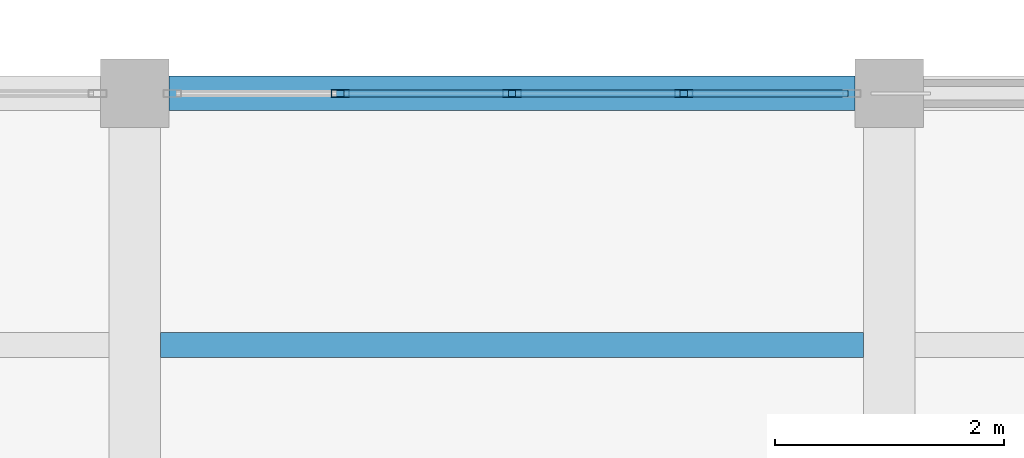
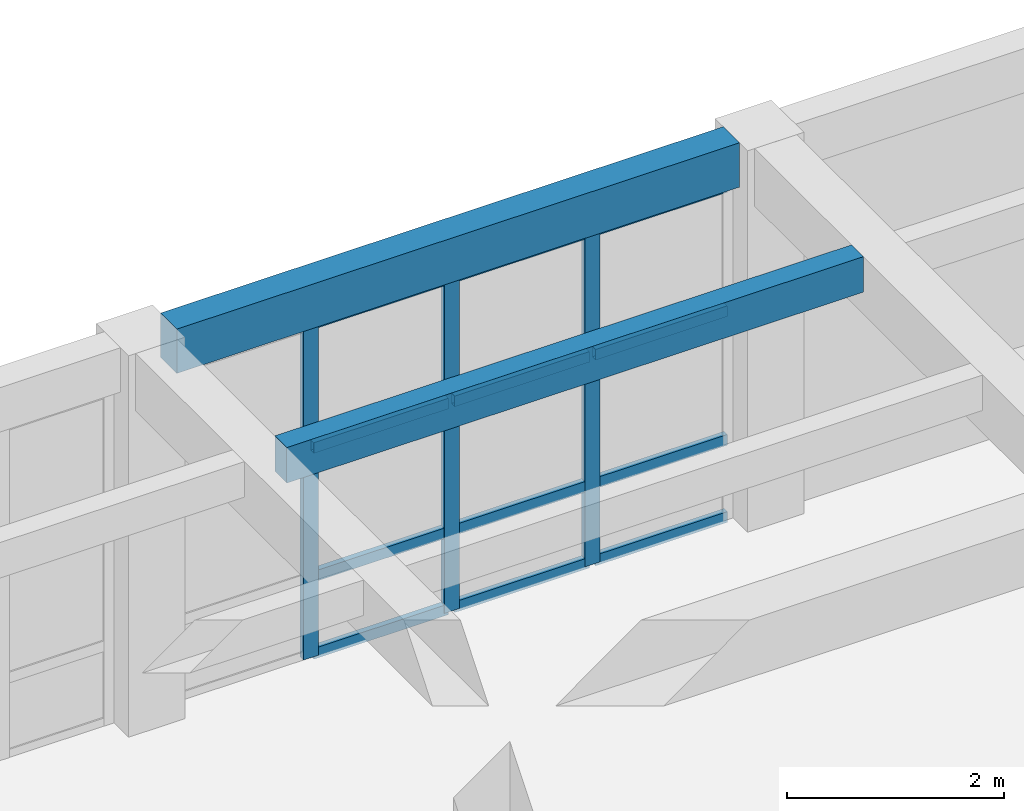
# One storey, part 14 of 80: 15 members, 2 beams, 1 element without a shape of its own.
"""IFC4 building model written with IfcOpenShell, lengths in metres."""

from ifc_helpers import new_model, si_unit, direction, frame, origin, origin_2d, place, context, subcontext, project, spatial, rectangle, hollow_rectangle, extrude, material, layer, layer_set, material_profile, profile_set, type_object, element, aggregate, save


model = new_model("IFC4")

# Units and contexts
model_context = context("Model", 3, precision=1e-05, world=origin(), true_north=direction((0.0, 1.0)))
body_context = subcontext(model_context, "Body", "Model", "MODEL_VIEW")
ifc_project = project(units=[si_unit("LENGTHUNIT", "METRE"), si_unit("AREAUNIT", "SQUARE_METRE"), si_unit("VOLUMEUNIT", "CUBIC_METRE"), si_unit("PLANEANGLEUNIT", "RADIAN"), si_unit("MASSUNIT", "GRAM", prefix="KILO")], contexts=[model_context])

# Site, building, storey
site_placement = place(None, origin())
site = spatial("IfcSite", under=ifc_project, at=site_placement, CompositionType="ELEMENT")
building_placement = place(site_placement, origin())
building = spatial("IfcBuilding", under=site, at=building_placement, Name="Kharisveld Research Institute", CompositionType="ELEMENT")
storey_placement = place(building_placement, frame((0.0, 0.0, 5.10009765625)))
storey = spatial("IfcBuildingStorey", under=building, at=storey_placement, Name="L01", CompositionType="ELEMENT", Elevation=5.10009765625)

# Curtain wall, members
ifc_material_1 = material(Name="Thermally Broken Aluminium Curtain Wall", Category="aluminium")
ifc_layer = layer(ifc_material_1, 0.159912109375)
ifc_layer_set = layer_set([ifc_layer], Name="CW_SYS_02")
curtain_wall_type = type_object("IfcCurtainWallType", Name="CW_SYS_02", PredefinedType="NOTDEFINED", material=ifc_layer_set)
curtain_wall_placement = place(storey_placement, origin())
curtain_wall = element("IfcCurtainWall", 1, at=curtain_wall_placement, inside=storey, type_object=curtain_wall_type, Name="CW:V3:L01:N4", PredefinedType="NOTDEFINED")
ifc_material_2 = material(Name="Anodised Aluminium AW-6063-T6", Category="aluminium")
ifc_material_profile_1 = material_profile(ifc_material_2, hollow_rectangle(XDim=0.06494140625, YDim=0.159912109375, WallThickness=0.00390625, at=origin_2d()))
ifc_profile_set_1 = profile_set([ifc_material_profile_1], Name="Anodised Aluminium AW-6063-T6")
member_type_1 = type_object("IfcMemberType", Name="CW_MUL_160", PredefinedType="MULLION", material=ifc_profile_set_1)
member_1_placement = place(storey_placement, frame((28.797607421875, 26.60009765625, 0.0), z_axis=(0.0, 0.0, 1.0), x_axis=(0.0, 1.0, 0.0)))
member_1 = element("IfcMember", 2, at=member_1_placement, type_object=member_type_1, Name="CW-02 mullion 2", PredefinedType="MULLION", context=body_context, shape_type="SweptSolid", body=[
    extrude(hollow_rectangle(XDim=0.06494140625, YDim=0.159912109375, WallThickness=0.00390625, at=origin_2d()), origin(), (0.0, 0.0, 1.0), 3.77978515625),
])
member_2_placement = place(storey_placement, frame((30.300048828125, 26.60009765625, 0.0), z_axis=(0.0, 0.0, 1.0), x_axis=(0.0, 1.0, 0.0)))
member_2 = element("IfcMember", 3, at=member_2_placement, type_object=member_type_1, Name="CW-02 mullion 3", PredefinedType="MULLION", context=body_context, shape_type="SweptSolid", body=[
    extrude(hollow_rectangle(XDim=0.06494140625, YDim=0.159912109375, WallThickness=0.00390625, at=origin_2d()), origin(), (0.0, 0.0, 1.0), 3.77978515625),
])
member_3_placement = place(storey_placement, frame((31.802490234375, 26.60009765625, 0.0), z_axis=(0.0, 0.0, 1.0), x_axis=(0.0, 1.0, 0.0)))
member_3 = element("IfcMember", 4, at=member_3_placement, type_object=member_type_1, Name="CW-02 mullion 4", PredefinedType="MULLION", context=body_context, shape_type="SweptSolid", body=[
    extrude(hollow_rectangle(XDim=0.06494140625, YDim=0.159912109375, WallThickness=0.00390625, at=origin_2d()), origin(), (0.0, 0.0, 1.0), 3.77978515625),
])
ifc_material_3 = material(Name="Anodised Aluminium AW-6063-T6", Category="aluminium")
ifc_material_profile_2 = material_profile(ifc_material_3, hollow_rectangle(XDim=0.06005859375, YDim=0.1201171875, WallThickness=0.00390625, at=origin_2d()))
ifc_profile_set_2 = profile_set([ifc_material_profile_2], Name="Anodised Aluminium AW-6063-T6")
member_type_2 = type_object("IfcMemberType", Name="CW_TRN_120", PredefinedType="USERDEFINED", material=ifc_profile_set_2)
member_4_placement = place(storey_placement, frame((28.830078125, 26.60009765625, 0.02978515625), z_axis=(1.0, 0.0, 0.0), x_axis=(0.0, 1.0, 0.0)))
member_4 = element("IfcMember", 5, at=member_4_placement, type_object=member_type_2, Name="CW-02 transom 2.1", ObjectType="TRANSOM", PredefinedType="USERDEFINED", context=body_context, shape_type="SweptSolid", body=[
    extrude(hollow_rectangle(XDim=0.06005859375, YDim=0.1201171875, WallThickness=0.00390625, at=origin_2d()), origin(), (0.0, 0.0, 1.0), 1.4375),
])
member_5_placement = place(storey_placement, frame((28.830078125, 26.60009765625, 0.89990234375), z_axis=(1.0, 0.0, 0.0), x_axis=(0.0, 1.0, 0.0)))
member_5 = element("IfcMember", 6, at=member_5_placement, type_object=member_type_2, Name="CW-02 transom 2.2", ObjectType="TRANSOM", PredefinedType="USERDEFINED", context=body_context, shape_type="SweptSolid", body=[
    extrude(hollow_rectangle(XDim=0.06005859375, YDim=0.1201171875, WallThickness=0.00390625, at=origin_2d()), origin(), (0.0, 0.0, 1.0), 1.4375),
])
member_6_placement = place(storey_placement, frame((28.830078125, 26.60009765625, 2.349853515625), z_axis=(1.0, 0.0, 0.0), x_axis=(0.0, 1.0, 0.0)))
member_6 = element("IfcMember", 7, at=member_6_placement, type_object=member_type_2, Name="CW-02 transom 2.3", ObjectType="TRANSOM", PredefinedType="USERDEFINED", context=body_context, shape_type="SweptSolid", body=[
    extrude(hollow_rectangle(XDim=0.06005859375, YDim=0.1201171875, WallThickness=0.00390625, at=origin_2d()), origin(), (0.0, 0.0, 1.0), 1.4375),
])
member_7_placement = place(storey_placement, frame((28.830078125, 26.60009765625, 3.75), z_axis=(1.0, 0.0, 0.0), x_axis=(0.0, 1.0, 0.0)))
member_7 = element("IfcMember", 8, at=member_7_placement, type_object=member_type_2, Name="CW-02 transom 2.4", ObjectType="TRANSOM", PredefinedType="USERDEFINED", context=body_context, shape_type="SweptSolid", body=[
    extrude(hollow_rectangle(XDim=0.06005859375, YDim=0.1201171875, WallThickness=0.00390625, at=origin_2d()), origin(), (0.0, 0.0, 1.0), 1.4375),
])
member_8_placement = place(storey_placement, frame((30.33251953125, 26.60009765625, 0.02978515625), z_axis=(1.0, 0.0, 0.0), x_axis=(0.0, 1.0, 0.0)))
member_8 = element("IfcMember", 9, at=member_8_placement, type_object=member_type_2, Name="CW-02 transom 3.1", ObjectType="TRANSOM", PredefinedType="USERDEFINED", context=body_context, shape_type="SweptSolid", body=[
    extrude(hollow_rectangle(XDim=0.06005859375, YDim=0.1201171875, WallThickness=0.00390625, at=origin_2d()), origin(), (0.0, 0.0, 1.0), 1.4375),
])
member_9_placement = place(storey_placement, frame((30.33251953125, 26.60009765625, 0.89990234375), z_axis=(1.0, 0.0, 0.0), x_axis=(0.0, 1.0, 0.0)))
member_9 = element("IfcMember", 10, at=member_9_placement, type_object=member_type_2, Name="CW-02 transom 3.2", ObjectType="TRANSOM", PredefinedType="USERDEFINED", context=body_context, shape_type="SweptSolid", body=[
    extrude(hollow_rectangle(XDim=0.06005859375, YDim=0.1201171875, WallThickness=0.00390625, at=origin_2d()), origin(), (0.0, 0.0, 1.0), 1.4375),
])
member_10_placement = place(storey_placement, frame((30.33251953125, 26.60009765625, 2.349853515625), z_axis=(1.0, 0.0, 0.0), x_axis=(0.0, 1.0, 0.0)))
member_10 = element("IfcMember", 11, at=member_10_placement, type_object=member_type_2, Name="CW-02 transom 3.3", ObjectType="TRANSOM", PredefinedType="USERDEFINED", context=body_context, shape_type="SweptSolid", body=[
    extrude(hollow_rectangle(XDim=0.06005859375, YDim=0.1201171875, WallThickness=0.00390625, at=origin_2d()), origin(), (0.0, 0.0, 1.0), 1.4375),
])
member_11_placement = place(storey_placement, frame((30.33251953125, 26.60009765625, 3.75), z_axis=(1.0, 0.0, 0.0), x_axis=(0.0, 1.0, 0.0)))
member_11 = element("IfcMember", 12, at=member_11_placement, type_object=member_type_2, Name="CW-02 transom 3.4", ObjectType="TRANSOM", PredefinedType="USERDEFINED", context=body_context, shape_type="SweptSolid", body=[
    extrude(hollow_rectangle(XDim=0.06005859375, YDim=0.1201171875, WallThickness=0.00390625, at=origin_2d()), origin(), (0.0, 0.0, 1.0), 1.4375),
])
member_12_placement = place(storey_placement, frame((31.8349609375, 26.60009765625, 0.02978515625), z_axis=(1.0, 0.0, 0.0), x_axis=(0.0, 1.0, 0.0)))
member_12 = element("IfcMember", 13, at=member_12_placement, type_object=member_type_2, Name="CW-02 transom 4.1", ObjectType="TRANSOM", PredefinedType="USERDEFINED", context=body_context, shape_type="SweptSolid", body=[
    extrude(hollow_rectangle(XDim=0.06005859375, YDim=0.1201171875, WallThickness=0.00390625, at=origin_2d()), origin(), (0.0, 0.0, 1.0), 1.405029296875),
])
member_13_placement = place(storey_placement, frame((31.8349609375, 26.60009765625, 0.89990234375), z_axis=(1.0, 0.0, 0.0), x_axis=(0.0, 1.0, 0.0)))
member_13 = element("IfcMember", 14, at=member_13_placement, type_object=member_type_2, Name="CW-02 transom 4.2", ObjectType="TRANSOM", PredefinedType="USERDEFINED", context=body_context, shape_type="SweptSolid", body=[
    extrude(hollow_rectangle(XDim=0.06005859375, YDim=0.1201171875, WallThickness=0.00390625, at=origin_2d()), origin(), (0.0, 0.0, 1.0), 1.405029296875),
])
member_14_placement = place(storey_placement, frame((31.8349609375, 26.60009765625, 2.349853515625), z_axis=(1.0, 0.0, 0.0), x_axis=(0.0, 1.0, 0.0)))
member_14 = element("IfcMember", 15, at=member_14_placement, type_object=member_type_2, Name="CW-02 transom 4.3", ObjectType="TRANSOM", PredefinedType="USERDEFINED", context=body_context, shape_type="SweptSolid", body=[
    extrude(hollow_rectangle(XDim=0.06005859375, YDim=0.1201171875, WallThickness=0.00390625, at=origin_2d()), origin(), (0.0, 0.0, 1.0), 1.405029296875),
])
member_15_placement = place(storey_placement, frame((31.8349609375, 26.60009765625, 3.75), z_axis=(1.0, 0.0, 0.0), x_axis=(0.0, 1.0, 0.0)))
member_15 = element("IfcMember", 16, at=member_15_placement, type_object=member_type_2, Name="CW-02 transom 4.4", ObjectType="TRANSOM", PredefinedType="USERDEFINED", context=body_context, shape_type="SweptSolid", body=[
    extrude(hollow_rectangle(XDim=0.06005859375, YDim=0.1201171875, WallThickness=0.00390625, at=origin_2d()), origin(), (0.0, 0.0, 1.0), 1.405029296875),
])
aggregate(curtain_wall, [member_1, member_2, member_3, member_4, member_5, member_6, member_7, member_8, member_9, member_10, member_11, member_12, member_13, member_14, member_15])

# Beams
ifc_material_4 = material(Name="Concrete C40/50", Category="concrete")
ifc_material_profile_3 = material_profile(ifc_material_4, rectangle(XDim=0.300048828125, YDim=0.5, at=origin_2d()))
ifc_profile_set_3 = profile_set([ifc_material_profile_3], Name="Concrete C40/50")
beam_type_1 = type_object("IfcBeamType", Name="SP_RC_300x500", PredefinedType="SPANDREL", material=ifc_profile_set_3)
beam_1_placement = place(storey_placement, frame((27.300048828125, 26.60009765625, 4.0498046875), z_axis=(1.0, 0.0, 0.0), x_axis=(0.0, 1.0, 0.0)))
element("IfcBeam", 17, at=beam_1_placement, inside=storey, type_object=beam_type_1, Name="BM:V3:L01:U4_4", PredefinedType="SPANDREL", context=body_context, shape_type="SweptSolid", body=[
    extrude(rectangle(XDim=0.300048828125, YDim=0.5, at=origin_2d()), origin(), (0.0, 0.0, 1.0), 6.0),
])
ifc_material_5 = material(Name="Concrete C40/50", Category="concrete")
ifc_material_profile_4 = material_profile(ifc_material_5, rectangle(XDim=0.219970703125, YDim=0.39990234375, at=origin_2d()))
ifc_profile_set_4 = profile_set([ifc_material_profile_4], Name="Concrete C40/50")
beam_type_2 = type_object("IfcBeamType", Name="WB_RC_220x400", PredefinedType="JOIST", material=ifc_profile_set_4)
beam_2_placement = place(storey_placement, frame((27.22509765625, 24.39990234375, 4.099853515625), z_axis=(1.0, 0.0, 0.0), x_axis=(0.0, 1.0, 0.0)))
element("IfcBeam", 18, at=beam_2_placement, inside=storey, type_object=beam_type_2, Name="BM:V3:L01:J_4_3_R2", PredefinedType="JOIST", context=body_context, shape_type="SweptSolid", body=[
    extrude(rectangle(XDim=0.219970703125, YDim=0.39990234375, at=origin_2d()), origin(), (0.0, 0.0, 1.0), 6.14990234375),
])

save(model, "model.ifc")
